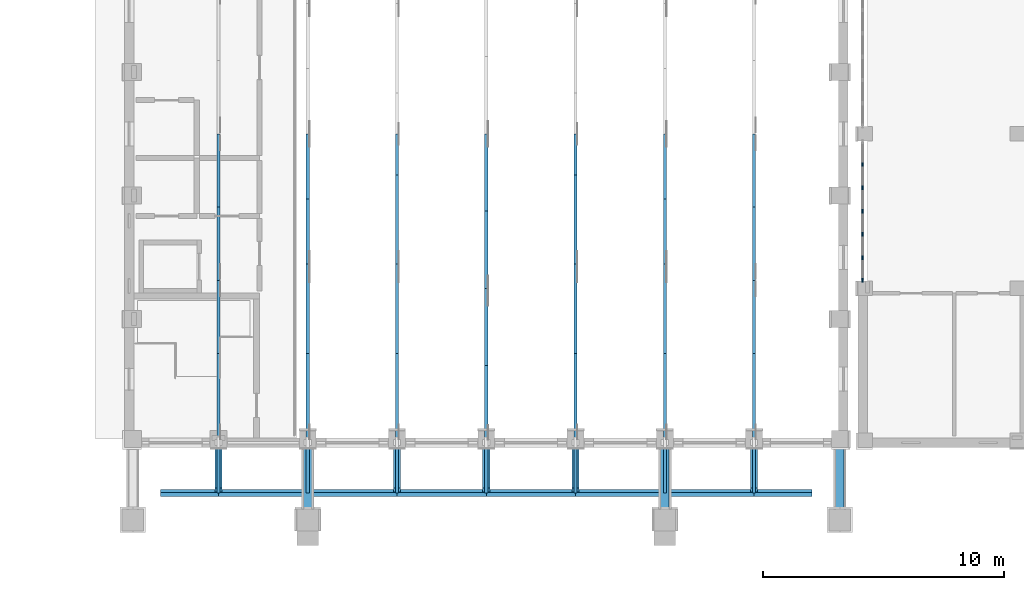
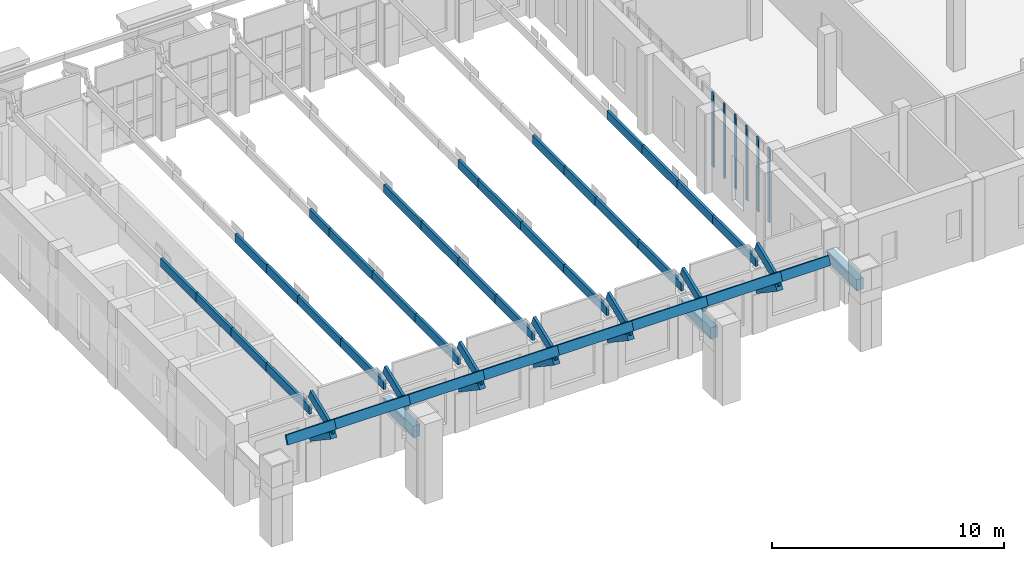
# One storey, part 14 of 99: 54 members, 3 beams, 1 element without a shape of its own.
"""IFC4 building model written with IfcOpenShell, lengths in metres."""

from ifc_helpers import new_model, si_unit, direction, frame, origin, origin_2d, place, context, subcontext, project, spatial, rectangle, extrude, material, layer, layer_set, material_profile, profile_set, type_object, element, aggregate, save


model = new_model("IFC4")

# Units and contexts
model_context = context("Model", 3, precision=1e-05, world=origin(), true_north=direction((0.0, 1.0)))
body_context = subcontext(model_context, "Body", "Model", "MODEL_VIEW")
ifc_project = project(units=[si_unit("LENGTHUNIT", "METRE"), si_unit("AREAUNIT", "SQUARE_METRE"), si_unit("VOLUMEUNIT", "CUBIC_METRE"), si_unit("PLANEANGLEUNIT", "RADIAN"), si_unit("MASSUNIT", "GRAM", prefix="KILO")], contexts=[model_context])

# Site, building, storey
site_placement = place(None, origin())
site = spatial("IfcSite", under=ifc_project, at=site_placement, CompositionType="ELEMENT")
building_placement = place(site_placement, origin())
building = spatial("IfcBuilding", under=site, at=building_placement, Name="Wasatch Bagh Community Centre", CompositionType="ELEMENT")
storey_placement = place(building_placement, frame((0.0, 0.0, 4.199951171875)))
storey = spatial("IfcBuildingStorey", under=building, at=storey_placement, Name="L01", CompositionType="ELEMENT", Elevation=4.199951171875)

# Members
ifc_material_1 = material(Name="Concrete C35", Category="concrete")
ifc_material_profile_1 = material_profile(ifc_material_1, rectangle(XDim=0.300048828125, YDim=0.300048828125, at=origin_2d()), Name="RC 300x300")
ifc_profile_set_1 = profile_set([ifc_material_profile_1], Name="Concrete C35")
member_type_1 = type_object("IfcMemberType", Name="CH-B1", PredefinedType="MEMBER", material=ifc_profile_set_1)
for number, where, z_axis, x_axis, name in (
    (1, (69.89990234375, 6.050048828125, 2.199951171875), (0.0, -0.830713183923, 0.556700643125), (1.0, 0.0, 0.0), "CH-B1 eave bracket DH S 69.9"),
    (2, (77.300048828125, 6.050048828125, 2.199951171875), (0.0, -0.830713183923, 0.556700643125), (1.0, 0.0, 0.0), "CH-B1 eave bracket DH S 77.3"),
    (3, (81.0, 6.050048828125, 2.199951171875), (0.0, -0.830713183923, 0.556700643125), (1.0, 0.0, 0.0), "CH-B1 eave bracket DH S 81.0"),
    (4, (84.699951171875, 6.050048828125, 2.199951171875), (0.0, -0.830713183923, 0.556700643125), (1.0, 0.0, 0.0), "CH-B1 eave bracket DH S 84.7"),
    (5, (92.10009765625, 6.050048828125, 2.199951171875), (0.0, -0.830713183923, 0.556700643125), (1.0, 0.0, 0.0), "CH-B1 eave bracket DH S 92.1"),
):
    element("IfcMember", number, at=place(storey_placement, frame(where, z_axis=z_axis, x_axis=x_axis)), inside=storey, type_object=member_type_1, Name=name, PredefinedType="MEMBER", context=body_context, shape_type="SweptSolid", body=[
        extrude(rectangle(XDim=0.300048828125, YDim=0.300048828125, at=origin_2d()), origin(), (0.0, 0.0, 1.0), 2.1669921875),
    ])

# Beams
ifc_material_profile_2 = material_profile(ifc_material_1, rectangle(XDim=0.35009765625, YDim=0.60009765625, at=origin_2d()), Name="RC 350x600")
ifc_profile_set_2 = profile_set([ifc_material_profile_2], Name="Concrete C35")
beam_type = type_object("IfcBeamType", Name="CL-B4", PredefinedType="BEAM", material=ifc_profile_set_2)
for number, where, z_axis, x_axis, name in (
    (6, (73.60009765625, 6.0, 2.800048828125), (0.0, -1.0, 0.0), (1.0, 0.0, 0.0), "CL-B4 tie DHP2.2"),
    (7, (88.39990234375, 6.0, 2.800048828125), (0.0, -1.0, 0.0), (1.0, 0.0, 0.0), "CL-B4 tie DHP3.2"),
    (8, (95.64990234375, 6.0, 2.800048828125), (0.0, -1.0, 0.0), (1.0, 0.0, 0.0), "CL-B4 tie DHP4.2"),
):
    element("IfcBeam", number, at=place(storey_placement, frame(where, z_axis=z_axis, x_axis=x_axis)), inside=storey, type_object=beam_type, Name=name, PredefinedType="BEAM", context=body_context, shape_type="SweptSolid", body=[
        extrude(rectangle(XDim=0.35009765625, YDim=0.60009765625, at=origin_2d()), origin(), (0.0, 0.0, 1.0), 2.550048828125),
    ])

# Members
ifc_material_2 = material(Name="Glulam 24F-V4 Douglas fir-larch", Category="wood")
ifc_material_profile_3 = material_profile(ifc_material_2, rectangle(XDim=0.130126953125, YDim=0.457275390625, at=origin_2d()), Name="GL 130x457")
ifc_profile_set_3 = profile_set([ifc_material_profile_3], Name="Glulam 24F-V4 Douglas fir-larch")
member_type_2 = type_object("IfcMemberType", Name="DH GL 130x457 chord", PredefinedType="CHORD", material=ifc_profile_set_3)
member_1_placement = place(storey_placement, frame((69.89990234375, 4.199951171875, 3.6025390625), z_axis=(0.0, 0.927166973909, 0.374648371799), x_axis=(-1.0, 0.0, 0.0)))
element("IfcMember", 9, at=member_1_placement, inside=storey, type_object=member_type_2, Name="DH.TH1.TC01", PredefinedType="CHORD", context=body_context, shape_type="SweptSolid", body=[
    extrude(rectangle(XDim=0.130126953125, YDim=0.457275390625, at=origin_2d()), origin(), (0.0, 0.0, 1.0), 2.15625),
])
member_2_placement = place(storey_placement, frame((69.89990234375, 6.199951171875, 3.548583984375), z_axis=(0.0, 1.0, 0.0), x_axis=(-1.0, 0.0, 0.0)))
element("IfcMember", 10, at=member_2_placement, inside=storey, type_object=member_type_2, Name="DH.TH1.BC01", PredefinedType="CHORD", context=body_context, shape_type="SweptSolid", body=[
    extrude(rectangle(XDim=0.130126953125, YDim=0.457275390625, at=origin_2d()), origin(), (0.0, 0.0, 1.0), 3.699951171875),
])
member_3_placement = place(storey_placement, frame((69.89990234375, 9.89990234375, 3.548583984375), z_axis=(0.0, 1.0, 0.0), x_axis=(-1.0, 0.0, 0.0)))
element("IfcMember", 11, at=member_3_placement, inside=storey, type_object=member_type_2, Name="DH.TH1.BC02", PredefinedType="CHORD", context=body_context, shape_type="SweptSolid", body=[
    extrude(rectangle(XDim=0.130126953125, YDim=0.457275390625, at=origin_2d()), origin(), (0.0, 0.0, 1.0), 3.033447265625),
])
member_4_placement = place(storey_placement, frame((69.89990234375, 12.933349609375, 3.548583984375), z_axis=(0.0, 1.0, 0.0), x_axis=(-1.0, 0.0, 0.0)))
element("IfcMember", 12, at=member_4_placement, inside=storey, type_object=member_type_2, Name="DH.TH1.BC03", PredefinedType="CHORD", context=body_context, shape_type="SweptSolid", body=[
    extrude(rectangle(XDim=0.130126953125, YDim=0.457275390625, at=origin_2d()), origin(), (0.0, 0.0, 1.0), 3.033203125),
])
member_5_placement = place(storey_placement, frame((69.89990234375, 15.966552734375, 3.548583984375), z_axis=(0.0, 1.0, 0.0), x_axis=(-1.0, 0.0, 0.0)))
element("IfcMember", 13, at=member_5_placement, inside=storey, type_object=member_type_2, Name="DH.TH1.BC04", PredefinedType="CHORD", context=body_context, shape_type="SweptSolid", body=[
    extrude(rectangle(XDim=0.130126953125, YDim=0.457275390625, at=origin_2d()), origin(), (0.0, 0.0, 1.0), 3.033447265625),
])
member_6_placement = place(storey_placement, frame((73.60009765625, 4.199951171875, 3.6025390625), z_axis=(0.0, 0.927182863269, 0.374609046955), x_axis=(-1.0, 0.0, 0.0)))
element("IfcMember", 14, at=member_6_placement, inside=storey, type_object=member_type_2, Name="DH.TH2.TC01", PredefinedType="CHORD", context=body_context, shape_type="SweptSolid", body=[
    extrude(rectangle(XDim=0.130126953125, YDim=0.457275390625, at=origin_2d()), origin(), (0.0, 0.0, 1.0), 2.156494140625),
])
member_7_placement = place(storey_placement, frame((73.60009765625, 6.199951171875, 3.548583984375), z_axis=(0.0, 1.0, 0.0), x_axis=(-1.0, 0.0, 0.0)))
element("IfcMember", 15, at=member_7_placement, inside=storey, type_object=member_type_2, Name="DH.TH2.BC01", PredefinedType="CHORD", context=body_context, shape_type="SweptSolid", body=[
    extrude(rectangle(XDim=0.130126953125, YDim=0.457275390625, at=origin_2d()), origin(), (0.0, 0.0, 1.0), 3.699951171875),
])
member_8_placement = place(storey_placement, frame((73.60009765625, 9.89990234375, 3.548583984375), z_axis=(0.0, 1.0, 0.0), x_axis=(-1.0, 0.0, 0.0)))
element("IfcMember", 16, at=member_8_placement, inside=storey, type_object=member_type_2, Name="DH.TH2.BC02", PredefinedType="CHORD", context=body_context, shape_type="SweptSolid", body=[
    extrude(rectangle(XDim=0.130126953125, YDim=0.457275390625, at=origin_2d()), origin(), (0.0, 0.0, 1.0), 3.7001953125),
])
for number, where, z_axis, x_axis, name in (
    (17, (73.60009765625, 13.60009765625, 3.548583984375), (0.0, 1.0, 0.0), (-1.0, 0.0, 0.0), "DH.TH2.BC03"),
    (18, (73.60009765625, 16.300048828125, 3.548583984375), (0.0, 1.0, 0.0), (-1.0, 0.0, 0.0), "DH.TH2.BC04"),
):
    element("IfcMember", number, at=place(storey_placement, frame(where, z_axis=z_axis, x_axis=x_axis)), inside=storey, type_object=member_type_2, Name=name, PredefinedType="CHORD", context=body_context, shape_type="SweptSolid", body=[
        extrude(rectangle(XDim=0.130126953125, YDim=0.457275390625, at=origin_2d()), origin(), (0.0, 0.0, 1.0), 2.699951171875),
    ])
member_9_placement = place(storey_placement, frame((77.300048828125, 4.199951171875, 3.6025390625), z_axis=(0.0, 0.927182863269, 0.374609046955), x_axis=(-1.0, 0.0, 0.0)))
element("IfcMember", 19, at=member_9_placement, inside=storey, type_object=member_type_2, Name="DH.TH3.TC01", PredefinedType="CHORD", context=body_context, shape_type="SweptSolid", body=[
    extrude(rectangle(XDim=0.130126953125, YDim=0.457275390625, at=origin_2d()), origin(), (0.0, 0.0, 1.0), 2.156494140625),
])
member_10_placement = place(storey_placement, frame((77.300048828125, 6.199951171875, 3.548583984375), z_axis=(0.0, 1.0, 0.0), x_axis=(-1.0, 0.0, 0.0)))
element("IfcMember", 20, at=member_10_placement, inside=storey, type_object=member_type_2, Name="DH.TH3.BC01", PredefinedType="CHORD", context=body_context, shape_type="SweptSolid", body=[
    extrude(rectangle(XDim=0.130126953125, YDim=0.457275390625, at=origin_2d()), origin(), (0.0, 0.0, 1.0), 3.699951171875),
])
member_11_placement = place(storey_placement, frame((77.300048828125, 9.89990234375, 3.548583984375), z_axis=(0.0, 1.0, 0.0), x_axis=(-1.0, 0.0, 0.0)))
element("IfcMember", 21, at=member_11_placement, inside=storey, type_object=member_type_2, Name="DH.TH3.BC02", PredefinedType="CHORD", context=body_context, shape_type="SweptSolid", body=[
    extrude(rectangle(XDim=0.130126953125, YDim=0.457275390625, at=origin_2d()), origin(), (0.0, 0.0, 1.0), 3.7001953125),
])
member_12_placement = place(storey_placement, frame((77.300048828125, 13.60009765625, 3.548583984375), z_axis=(0.0, 1.0, 0.0), x_axis=(-1.0, 0.0, 0.0)))
element("IfcMember", 22, at=member_12_placement, inside=storey, type_object=member_type_2, Name="DH.TH3.BC03", PredefinedType="CHORD", context=body_context, shape_type="SweptSolid", body=[
    extrude(rectangle(XDim=0.130126953125, YDim=0.457275390625, at=origin_2d()), origin(), (0.0, 0.0, 1.0), 3.699951171875),
])
member_13_placement = place(storey_placement, frame((77.300048828125, 17.300048828125, 3.548583984375), z_axis=(0.0, 1.0, 0.0), x_axis=(-1.0, 0.0, 0.0)))
element("IfcMember", 23, at=member_13_placement, inside=storey, type_object=member_type_2, Name="DH.TH3.BC04", PredefinedType="CHORD", context=body_context, shape_type="SweptSolid", body=[
    extrude(rectangle(XDim=0.130126953125, YDim=0.457275390625, at=origin_2d()), origin(), (0.0, 0.0, 1.0), 1.699951171875),
])
member_14_placement = place(storey_placement, frame((81.0, 4.199951171875, 3.6025390625), z_axis=(0.0, 0.927182863269, 0.374609046955), x_axis=(-1.0, 0.0, 0.0)))
element("IfcMember", 24, at=member_14_placement, inside=storey, type_object=member_type_2, Name="DH.TH4.TC01", PredefinedType="CHORD", context=body_context, shape_type="SweptSolid", body=[
    extrude(rectangle(XDim=0.130126953125, YDim=0.457275390625, at=origin_2d()), origin(), (0.0, 0.0, 1.0), 2.156494140625),
])
member_15_placement = place(storey_placement, frame((81.0, 6.199951171875, 3.548583984375), z_axis=(0.0, 1.0, 0.0), x_axis=(-1.0, 0.0, 0.0)))
element("IfcMember", 25, at=member_15_placement, inside=storey, type_object=member_type_2, Name="DH.TH4.BC01", PredefinedType="CHORD", context=body_context, shape_type="SweptSolid", body=[
    extrude(rectangle(XDim=0.130126953125, YDim=0.457275390625, at=origin_2d()), origin(), (0.0, 0.0, 1.0), 3.199951171875),
])
member_16_placement = place(storey_placement, frame((81.0, 9.39990234375, 3.548583984375), z_axis=(0.0, 1.0, 0.0), x_axis=(-1.0, 0.0, 0.0)))
element("IfcMember", 26, at=member_16_placement, inside=storey, type_object=member_type_2, Name="DH.TH4.BC02", PredefinedType="CHORD", context=body_context, shape_type="SweptSolid", body=[
    extrude(rectangle(XDim=0.130126953125, YDim=0.457275390625, at=origin_2d()), origin(), (0.0, 0.0, 1.0), 3.2001953125),
])
for number, where, z_axis, x_axis, name in (
    (27, (81.0, 12.60009765625, 3.548583984375), (0.0, 1.0, 0.0), (-1.0, 0.0, 0.0), "DH.TH4.BC03"),
    (28, (81.0, 15.800048828125, 3.548583984375), (0.0, 1.0, 0.0), (-1.0, 0.0, 0.0), "DH.TH4.BC04"),
):
    element("IfcMember", number, at=place(storey_placement, frame(where, z_axis=z_axis, x_axis=x_axis)), inside=storey, type_object=member_type_2, Name=name, PredefinedType="CHORD", context=body_context, shape_type="SweptSolid", body=[
        extrude(rectangle(XDim=0.130126953125, YDim=0.457275390625, at=origin_2d()), origin(), (0.0, 0.0, 1.0), 3.199951171875),
    ])
member_17_placement = place(storey_placement, frame((84.699951171875, 4.199951171875, 3.6025390625), z_axis=(0.0, 0.927182863269, 0.374609046955), x_axis=(-1.0, 0.0, 0.0)))
element("IfcMember", 29, at=member_17_placement, inside=storey, type_object=member_type_2, Name="DH.TH5.TC01", PredefinedType="CHORD", context=body_context, shape_type="SweptSolid", body=[
    extrude(rectangle(XDim=0.130126953125, YDim=0.457275390625, at=origin_2d()), origin(), (0.0, 0.0, 1.0), 2.156494140625),
])
member_18_placement = place(storey_placement, frame((84.699951171875, 6.199951171875, 3.548583984375), z_axis=(0.0, 1.0, 0.0), x_axis=(-1.0, 0.0, 0.0)))
element("IfcMember", 30, at=member_18_placement, inside=storey, type_object=member_type_2, Name="DH.TH5.BC01", PredefinedType="CHORD", context=body_context, shape_type="SweptSolid", body=[
    extrude(rectangle(XDim=0.130126953125, YDim=0.457275390625, at=origin_2d()), origin(), (0.0, 0.0, 1.0), 3.699951171875),
])
member_19_placement = place(storey_placement, frame((84.699951171875, 9.89990234375, 3.548583984375), z_axis=(0.0, 1.0, 0.0), x_axis=(-1.0, 0.0, 0.0)))
element("IfcMember", 31, at=member_19_placement, inside=storey, type_object=member_type_2, Name="DH.TH5.BC02", PredefinedType="CHORD", context=body_context, shape_type="SweptSolid", body=[
    extrude(rectangle(XDim=0.130126953125, YDim=0.457275390625, at=origin_2d()), origin(), (0.0, 0.0, 1.0), 3.7001953125),
])
member_20_placement = place(storey_placement, frame((84.699951171875, 13.60009765625, 3.548583984375), z_axis=(0.0, 1.0, 0.0), x_axis=(-1.0, 0.0, 0.0)))
element("IfcMember", 32, at=member_20_placement, inside=storey, type_object=member_type_2, Name="DH.TH5.BC03", PredefinedType="CHORD", context=body_context, shape_type="SweptSolid", body=[
    extrude(rectangle(XDim=0.130126953125, YDim=0.457275390625, at=origin_2d()), origin(), (0.0, 0.0, 1.0), 3.699951171875),
])
member_21_placement = place(storey_placement, frame((84.699951171875, 17.300048828125, 3.548583984375), z_axis=(0.0, 1.0, 0.0), x_axis=(-1.0, 0.0, 0.0)))
element("IfcMember", 33, at=member_21_placement, inside=storey, type_object=member_type_2, Name="DH.TH5.BC04", PredefinedType="CHORD", context=body_context, shape_type="SweptSolid", body=[
    extrude(rectangle(XDim=0.130126953125, YDim=0.457275390625, at=origin_2d()), origin(), (0.0, 0.0, 1.0), 1.699951171875),
])
member_22_placement = place(storey_placement, frame((88.39990234375, 4.199951171875, 3.6025390625), z_axis=(0.0, 0.927182863269, 0.374609046955), x_axis=(-1.0, 0.0, 0.0)))
element("IfcMember", 34, at=member_22_placement, inside=storey, type_object=member_type_2, Name="DH.TH6.TC01", PredefinedType="CHORD", context=body_context, shape_type="SweptSolid", body=[
    extrude(rectangle(XDim=0.130126953125, YDim=0.457275390625, at=origin_2d()), origin(), (0.0, 0.0, 1.0), 2.156494140625),
])
member_23_placement = place(storey_placement, frame((88.39990234375, 6.199951171875, 3.548583984375), z_axis=(0.0, 1.0, 0.0), x_axis=(-1.0, 0.0, 0.0)))
element("IfcMember", 35, at=member_23_placement, inside=storey, type_object=member_type_2, Name="DH.TH6.BC01", PredefinedType="CHORD", context=body_context, shape_type="SweptSolid", body=[
    extrude(rectangle(XDim=0.130126953125, YDim=0.457275390625, at=origin_2d()), origin(), (0.0, 0.0, 1.0), 3.699951171875),
])
member_24_placement = place(storey_placement, frame((88.39990234375, 9.89990234375, 3.548583984375), z_axis=(0.0, 1.0, 0.0), x_axis=(-1.0, 0.0, 0.0)))
element("IfcMember", 36, at=member_24_placement, inside=storey, type_object=member_type_2, Name="DH.TH6.BC02", PredefinedType="CHORD", context=body_context, shape_type="SweptSolid", body=[
    extrude(rectangle(XDim=0.130126953125, YDim=0.457275390625, at=origin_2d()), origin(), (0.0, 0.0, 1.0), 3.7001953125),
])
for number, where, z_axis, x_axis, name in (
    (37, (88.39990234375, 13.60009765625, 3.548583984375), (0.0, 1.0, 0.0), (-1.0, 0.0, 0.0), "DH.TH6.BC03"),
    (38, (88.39990234375, 16.300048828125, 3.548583984375), (0.0, 1.0, 0.0), (-1.0, 0.0, 0.0), "DH.TH6.BC04"),
):
    element("IfcMember", number, at=place(storey_placement, frame(where, z_axis=z_axis, x_axis=x_axis)), inside=storey, type_object=member_type_2, Name=name, PredefinedType="CHORD", context=body_context, shape_type="SweptSolid", body=[
        extrude(rectangle(XDim=0.130126953125, YDim=0.457275390625, at=origin_2d()), origin(), (0.0, 0.0, 1.0), 2.699951171875),
    ])
member_25_placement = place(storey_placement, frame((92.10009765625, 4.199951171875, 3.6025390625), z_axis=(0.0, 0.927166973909, 0.374648371799), x_axis=(-1.0, 0.0, 0.0)))
element("IfcMember", 39, at=member_25_placement, inside=storey, type_object=member_type_2, Name="DH.TH7.TC01", PredefinedType="CHORD", context=body_context, shape_type="SweptSolid", body=[
    extrude(rectangle(XDim=0.130126953125, YDim=0.457275390625, at=origin_2d()), origin(), (0.0, 0.0, 1.0), 2.15625),
])
member_26_placement = place(storey_placement, frame((92.10009765625, 6.199951171875, 3.548583984375), z_axis=(0.0, 1.0, 0.0), x_axis=(-1.0, 0.0, 0.0)))
element("IfcMember", 40, at=member_26_placement, inside=storey, type_object=member_type_2, Name="DH.TH7.BC01", PredefinedType="CHORD", context=body_context, shape_type="SweptSolid", body=[
    extrude(rectangle(XDim=0.130126953125, YDim=0.457275390625, at=origin_2d()), origin(), (0.0, 0.0, 1.0), 3.699951171875),
])
member_27_placement = place(storey_placement, frame((92.10009765625, 9.89990234375, 3.548583984375), z_axis=(0.0, 1.0, 0.0), x_axis=(-1.0, 0.0, 0.0)))
element("IfcMember", 41, at=member_27_placement, inside=storey, type_object=member_type_2, Name="DH.TH7.BC02", PredefinedType="CHORD", context=body_context, shape_type="SweptSolid", body=[
    extrude(rectangle(XDim=0.130126953125, YDim=0.457275390625, at=origin_2d()), origin(), (0.0, 0.0, 1.0), 3.033447265625),
])
member_28_placement = place(storey_placement, frame((92.10009765625, 12.933349609375, 3.548583984375), z_axis=(0.0, 1.0, 0.0), x_axis=(-1.0, 0.0, 0.0)))
element("IfcMember", 42, at=member_28_placement, inside=storey, type_object=member_type_2, Name="DH.TH7.BC03", PredefinedType="CHORD", context=body_context, shape_type="SweptSolid", body=[
    extrude(rectangle(XDim=0.130126953125, YDim=0.457275390625, at=origin_2d()), origin(), (0.0, 0.0, 1.0), 3.033203125),
])
member_29_placement = place(storey_placement, frame((92.10009765625, 15.966552734375, 3.548583984375), z_axis=(0.0, 1.0, 0.0), x_axis=(-1.0, 0.0, 0.0)))
element("IfcMember", 43, at=member_29_placement, inside=storey, type_object=member_type_2, Name="DH.TH7.BC04", PredefinedType="CHORD", context=body_context, shape_type="SweptSolid", body=[
    extrude(rectangle(XDim=0.130126953125, YDim=0.457275390625, at=origin_2d()), origin(), (0.0, 0.0, 1.0), 3.033447265625),
])
ifc_material_profile_4 = material_profile(ifc_material_2, rectangle(XDim=0.130126953125, YDim=0.457275390625, at=origin_2d()), Name="GL 130x457")
ifc_profile_set_4 = profile_set([ifc_material_profile_4], Name="Glulam 24F-V4 Douglas fir-larch")
member_type_3 = type_object("IfcMemberType", Name="DH GL 130x457 purlin", PredefinedType="PURLIN", material=ifc_profile_set_4)
member_30_placement = place(storey_placement, frame((67.5, 4.1142578125, 4.06103515625), z_axis=(1.0, 0.0, 0.0), x_axis=(0.0, 0.927183854567, -0.374606593416)))
element("IfcMember", 44, at=member_30_placement, inside=storey, type_object=member_type_3, Name="DH.PUR.S01.1", PredefinedType="PURLIN", context=body_context, shape_type="SweptSolid", body=[
    extrude(rectangle(XDim=0.130126953125, YDim=0.457275390625, at=origin_2d()), origin(), (0.0, 0.0, 1.0), 2.39990234375),
])
member_31_placement = place(storey_placement, frame((69.89990234375, 4.1142578125, 4.06103515625), z_axis=(1.0, 0.0, 0.0), x_axis=(0.0, 0.927183854567, -0.374606593416)))
element("IfcMember", 45, at=member_31_placement, inside=storey, type_object=member_type_3, Name="DH.PUR.S01.2", PredefinedType="PURLIN", context=body_context, shape_type="SweptSolid", body=[
    extrude(rectangle(XDim=0.130126953125, YDim=0.457275390625, at=origin_2d()), origin(), (0.0, 0.0, 1.0), 3.7001953125),
])
for number, where, z_axis, x_axis, name in (
    (46, (73.60009765625, 4.1142578125, 4.06103515625), (1.0, 0.0, 0.0), (0.0, 0.927183854567, -0.374606593416), "DH.PUR.S01.3"),
    (47, (77.300048828125, 4.1142578125, 4.06103515625), (1.0, 0.0, 0.0), (0.0, 0.927183854567, -0.374606593416), "DH.PUR.S01.4"),
    (48, (81.0, 4.1142578125, 4.06103515625), (1.0, 0.0, 0.0), (0.0, 0.927183854567, -0.374606593416), "DH.PUR.S01.5"),
    (49, (84.699951171875, 4.1142578125, 4.06103515625), (1.0, 0.0, 0.0), (0.0, 0.927183854567, -0.374606593416), "DH.PUR.S01.6"),
):
    element("IfcMember", number, at=place(storey_placement, frame(where, z_axis=z_axis, x_axis=x_axis)), inside=storey, type_object=member_type_3, Name=name, PredefinedType="PURLIN", context=body_context, shape_type="SweptSolid", body=[
        extrude(rectangle(XDim=0.130126953125, YDim=0.457275390625, at=origin_2d()), origin(), (0.0, 0.0, 1.0), 3.699951171875),
    ])
member_32_placement = place(storey_placement, frame((88.39990234375, 4.1142578125, 4.06103515625), z_axis=(1.0, 0.0, 0.0), x_axis=(0.0, 0.927183854567, -0.374606593416)))
element("IfcMember", 50, at=member_32_placement, inside=storey, type_object=member_type_3, Name="DH.PUR.S01.7", PredefinedType="PURLIN", context=body_context, shape_type="SweptSolid", body=[
    extrude(rectangle(XDim=0.130126953125, YDim=0.457275390625, at=origin_2d()), origin(), (0.0, 0.0, 1.0), 3.7001953125),
])
member_33_placement = place(storey_placement, frame((92.10009765625, 4.1142578125, 4.06103515625), z_axis=(1.0, 0.0, 0.0), x_axis=(0.0, 0.927183854567, -0.374606593416)))
element("IfcMember", 51, at=member_33_placement, inside=storey, type_object=member_type_3, Name="DH.PUR.S01.8", PredefinedType="PURLIN", context=body_context, shape_type="SweptSolid", body=[
    extrude(rectangle(XDim=0.130126953125, YDim=0.457275390625, at=origin_2d()), origin(), (0.0, 0.0, 1.0), 2.39990234375),
])

# Curtain wall, members
ifc_material_3 = material(Name="Aluminium alloy 6063-T6", Category="aluminium")
ifc_layer = layer(ifc_material_3, 0.10009765625)
ifc_layer_set = layer_set([ifc_layer], Name="Aluminium alloy 6063-T6")
curtain_wall_type = type_object("IfcCurtainWallType", Name="KW-CW1", PredefinedType="NOTDEFINED", material=ifc_layer_set)
curtain_wall_placement = place(storey_placement, origin())
curtain_wall = element("IfcCurtainWall", 52, at=curtain_wall_placement, inside=storey, type_object=curtain_wall_type, Name="Curtain wall KW-CW1", PredefinedType="NOTDEFINED")
ifc_material_profile_5 = material_profile(ifc_material_3, rectangle(XDim=0.06005859375, YDim=0.159912109375, at=origin_2d()), Name="AL 60x160")
ifc_profile_set_5 = profile_set([ifc_material_profile_5], Name="Aluminium alloy 6063-T6")
member_type_4 = type_object("IfcMemberType", Name="KW-CW1 mullion", PredefinedType="MULLION", material=ifc_profile_set_5)
member_34_placement = place(storey_placement, frame((96.60009765625, 12.929931640625, 0.0), z_axis=(0.0, 0.0, 1.0), x_axis=(-1.0, 0.0, 0.0)))
member_34 = element("IfcMember", 53, at=member_34_placement, type_object=member_type_4, Name="KW-CW1 mullion 1", PredefinedType="MULLION", context=body_context, shape_type="SweptSolid", body=[
    extrude(rectangle(XDim=0.06005859375, YDim=0.159912109375, at=origin_2d()), origin(), (0.0, 0.0, 1.0), 3.920166015625),
])
member_35_placement = place(storey_placement, frame((96.60009765625, 13.86669921875, 0.0), z_axis=(0.0, 0.0, 1.0), x_axis=(-1.0, 0.0, 0.0)))
member_35 = element("IfcMember", 54, at=member_35_placement, type_object=member_type_4, Name="KW-CW1 mullion 2", PredefinedType="MULLION", context=body_context, shape_type="SweptSolid", body=[
    extrude(rectangle(XDim=0.06005859375, YDim=0.159912109375, at=origin_2d()), origin(), (0.0, 0.0, 1.0), 3.920166015625),
])
member_36_placement = place(storey_placement, frame((96.60009765625, 14.833251953125, 0.0), z_axis=(0.0, 0.0, 1.0), x_axis=(-1.0, 0.0, 0.0)))
member_36 = element("IfcMember", 55, at=member_36_placement, type_object=member_type_4, Name="KW-CW1 mullion 3", PredefinedType="MULLION", context=body_context, shape_type="SweptSolid", body=[
    extrude(rectangle(XDim=0.06005859375, YDim=0.159912109375, at=origin_2d()), origin(), (0.0, 0.0, 1.0), 3.920166015625),
])
member_37_placement = place(storey_placement, frame((96.60009765625, 15.800048828125, 0.0), z_axis=(0.0, 0.0, 1.0), x_axis=(-1.0, 0.0, 0.0)))
member_37 = element("IfcMember", 56, at=member_37_placement, type_object=member_type_4, Name="KW-CW1 mullion 4", PredefinedType="MULLION", context=body_context, shape_type="SweptSolid", body=[
    extrude(rectangle(XDim=0.06005859375, YDim=0.159912109375, at=origin_2d()), origin(), (0.0, 0.0, 1.0), 3.920166015625),
])
member_38_placement = place(storey_placement, frame((96.60009765625, 16.7666015625, 0.0), z_axis=(0.0, 0.0, 1.0), x_axis=(-1.0, 0.0, 0.0)))
member_38 = element("IfcMember", 57, at=member_38_placement, type_object=member_type_4, Name="KW-CW1 mullion 5", PredefinedType="MULLION", context=body_context, shape_type="SweptSolid", body=[
    extrude(rectangle(XDim=0.06005859375, YDim=0.159912109375, at=origin_2d()), origin(), (0.0, 0.0, 1.0), 3.920166015625),
])
member_39_placement = place(storey_placement, frame((96.60009765625, 17.7333984375, 0.0), z_axis=(0.0, 0.0, 1.0), x_axis=(-1.0, 0.0, 0.0)))
member_39 = element("IfcMember", 58, at=member_39_placement, type_object=member_type_4, Name="KW-CW1 mullion 6", PredefinedType="MULLION", context=body_context, shape_type="SweptSolid", body=[
    extrude(rectangle(XDim=0.06005859375, YDim=0.159912109375, at=origin_2d()), origin(), (0.0, 0.0, 1.0), 3.920166015625),
])
aggregate(curtain_wall, [member_34, member_35, member_36, member_37, member_38, member_39])

save(model, "model.ifc")
